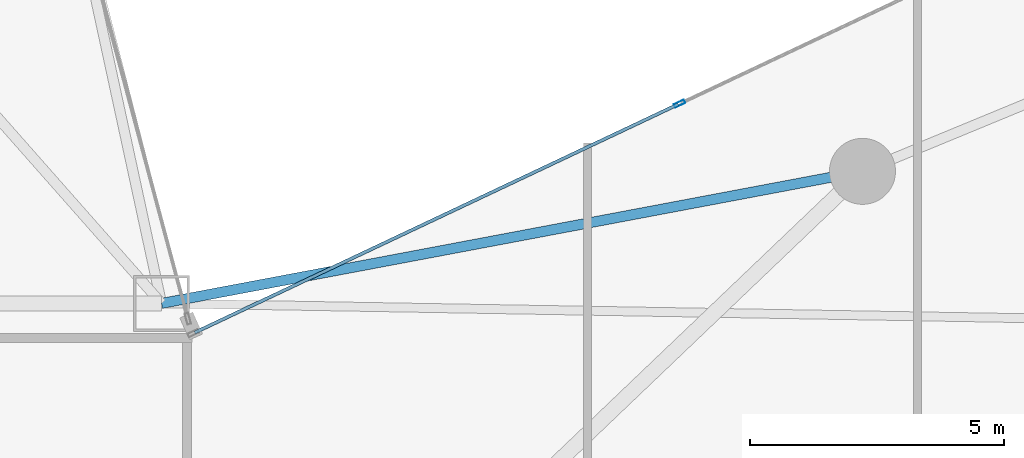
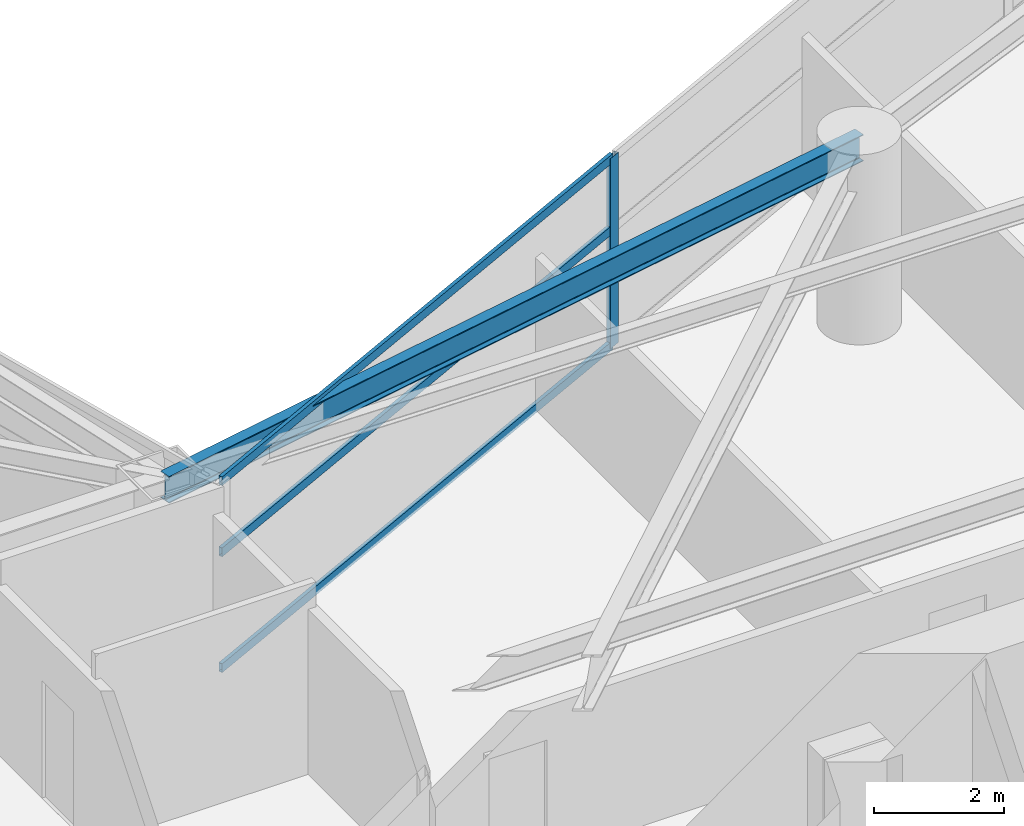
# One storey, part 11 of 29: 4 members, 1 beam, 1 element without a shape of its own.
"""IFC4 building model written with IfcOpenShell, lengths in metres."""

from ifc_helpers import new_model, si_unit, direction, frame, origin, origin_2d, place, context, subcontext, project, spatial, hollow_rectangle, i_section, extrude, material, layer, layer_set, material_profile, profile_set, type_object, element, aggregate, save


model = new_model("IFC4")

# Units and contexts
model_context = context("Model", 3, precision=1e-05, world=origin(), true_north=direction((0.0, 1.0)))
body_context = subcontext(model_context, "Body", "Model", "MODEL_VIEW")
ifc_project = project(units=[si_unit("LENGTHUNIT", "METRE"), si_unit("AREAUNIT", "SQUARE_METRE"), si_unit("VOLUMEUNIT", "CUBIC_METRE"), si_unit("PLANEANGLEUNIT", "RADIAN"), si_unit("MASSUNIT", "GRAM", prefix="KILO")], contexts=[model_context])

# Site, building, storey
site_placement = place(None, origin())
site = spatial("IfcSite", under=ifc_project, at=site_placement, CompositionType="ELEMENT")
building_placement = place(site_placement, origin())
building = spatial("IfcBuilding", under=site, at=building_placement, Name="Calvorn Quay Hotel", CompositionType="ELEMENT")
storey_placement = place(building_placement, frame((0.0, 0.0, 81.199951171875)))
storey = spatial("IfcBuildingStorey", under=building, at=storey_placement, Name="L19", CompositionType="ELEMENT", Elevation=81.199951171875)

# Beam
ifc_material_1 = material(Name="Steel Q355B", Category="steel")
ifc_material_profile_1 = material_profile(ifc_material_1, i_section(OverallWidth=0.199951171875, OverallDepth=0.5, WebThickness=0.010009765625, FlangeThickness=0.01611328125, FilletRadius=0.01611328125, at=origin_2d()), Name="HN500x200x10x16")
ifc_profile_set_1 = profile_set([ifc_material_profile_1], Name="Steel Q355B")
beam_type = type_object("IfcBeamType", Name="BM-SPANDREL-Z1", PredefinedType="SPANDREL", material=ifc_profile_set_1)
beam_placement = place(storey_placement, frame((34.800048828125, 27.60009765625, 3.2900390625), z_axis=(-0.982709432406, -0.185154452988, 0.0), x_axis=(0.185154452988, -0.982709432406, 0.0)))
element("IfcBeam", 1, at=beam_placement, inside=storey, type_object=beam_type, Name="Beam BSP-L19-E5", PredefinedType="SPANDREL", context=body_context, shape_type="SweptSolid", body=[
    extrude(i_section(OverallWidth=0.199951171875, OverallDepth=0.5, WebThickness=0.010009765625, FlangeThickness=0.01611328125, FilletRadius=0.01611328125, at=origin_2d()), origin(), (0.0, 0.0, 1.0), 14.04296875),
])

# Curtain wall, members
ifc_material_2 = material(Name="Pale Anodised Aluminium and Low-E Glass", Category="aluminium")
ifc_layer = layer(ifc_material_2, 0.219970703125)
ifc_layer_set = layer_set([ifc_layer], Name="CW-SYS-Z1")
curtain_wall_type = type_object("IfcCurtainWallType", Name="CW-SYS-Z1", PredefinedType="NOTDEFINED", material=ifc_layer_set)
curtain_wall_placement = place(storey_placement, origin())
curtain_wall = element("IfcCurtainWall", 2, at=curtain_wall_placement, inside=storey, type_object=curtain_wall_type, Name="Inner Court Curtain Wall L19-NE1", PredefinedType="NOTDEFINED")
ifc_material_3 = material(Name="Pale Anodised Aluminium 6063-T6", Category="aluminium")
ifc_material_profile_2 = material_profile(ifc_material_3, hollow_rectangle(XDim=0.074951171875, YDim=0.219970703125, WallThickness=0.00439453125, at=origin_2d()), Name="ALU-M220x75x4.5")
ifc_profile_set_2 = profile_set([ifc_material_profile_2], Name="Pale Anodised Aluminium 6063-T6")
member_type_1 = type_object("IfcMemberType", Name="CW-SYS-Z1-MUL", PredefinedType="MULLION", material=ifc_profile_set_2)
member_1_placement = place(storey_placement, frame((31.199951171875, 28.933349609375, 0.0), z_axis=(0.0, 0.0, 1.0), x_axis=(0.427006305415, -0.904248646743, 0.0)))
member_1 = element("IfcMember", 3, at=member_1_placement, type_object=member_type_1, Name="CW-L19-NE1 mullion 3", PredefinedType="MULLION", context=body_context, shape_type="SweptSolid", body=[
    extrude(hollow_rectangle(XDim=0.074951171875, YDim=0.219970703125, WallThickness=0.00439453125, at=origin_2d()), origin(), (0.0, 0.0, 1.0), 3.56005859375),
])
ifc_material_4 = material(Name="Pale Anodised Aluminium 6063-T6", Category="aluminium")
ifc_material_profile_3 = material_profile(ifc_material_4, hollow_rectangle(XDim=0.06494140625, YDim=0.1650390625, WallThickness=0.00341796875, at=origin_2d()), Name="ALU-T165x65x3.5")
ifc_profile_set_3 = profile_set([ifc_material_profile_3], Name="Pale Anodised Aluminium 6063-T6")
member_type_2 = type_object("IfcMemberType", Name="CW-SYS-Z1-TRN", PredefinedType="USERDEFINED", material=ifc_profile_set_3)
member_2_placement = place(storey_placement, frame((31.1728515625, 28.92041015625, 0.030029296875), z_axis=(-0.904248646746, -0.427006305408, 0.0), x_axis=(0.427006305408, -0.904248646746, 0.0)))
member_2 = element("IfcMember", 4, at=member_2_placement, type_object=member_type_2, Name="CW-L19-NE1 transom 3.1", ObjectType="TRANSOM", PredefinedType="USERDEFINED", context=body_context, shape_type="SweptSolid", body=[
    extrude(hollow_rectangle(XDim=0.06494140625, YDim=0.1650390625, WallThickness=0.00341796875, at=origin_2d()), origin(), (0.0, 0.0, 1.0), 10.5263671875),
])
member_3_placement = place(storey_placement, frame((31.1728515625, 28.92041015625, 2.199951171875), z_axis=(-0.904248646746, -0.427006305408, 0.0), x_axis=(0.427006305408, -0.904248646746, 0.0)))
member_3 = element("IfcMember", 5, at=member_3_placement, type_object=member_type_2, Name="CW-L19-NE1 transom 3.2", ObjectType="TRANSOM", PredefinedType="USERDEFINED", context=body_context, shape_type="SweptSolid", body=[
    extrude(hollow_rectangle(XDim=0.06494140625, YDim=0.1650390625, WallThickness=0.00341796875, at=origin_2d()), origin(), (0.0, 0.0, 1.0), 10.5263671875),
])
member_4_placement = place(storey_placement, frame((31.1728515625, 28.92041015625, 3.530029296875), z_axis=(-0.904248646746, -0.427006305408, 0.0), x_axis=(0.427006305408, -0.904248646746, 0.0)))
member_4 = element("IfcMember", 6, at=member_4_placement, type_object=member_type_2, Name="CW-L19-NE1 transom 3.3", ObjectType="TRANSOM", PredefinedType="USERDEFINED", context=body_context, shape_type="SweptSolid", body=[
    extrude(hollow_rectangle(XDim=0.06494140625, YDim=0.1650390625, WallThickness=0.00341796875, at=origin_2d()), origin(), (0.0, 0.0, 1.0), 10.5263671875),
])
aggregate(curtain_wall, [member_1, member_2, member_3, member_4])

save(model, "model.ifc")
